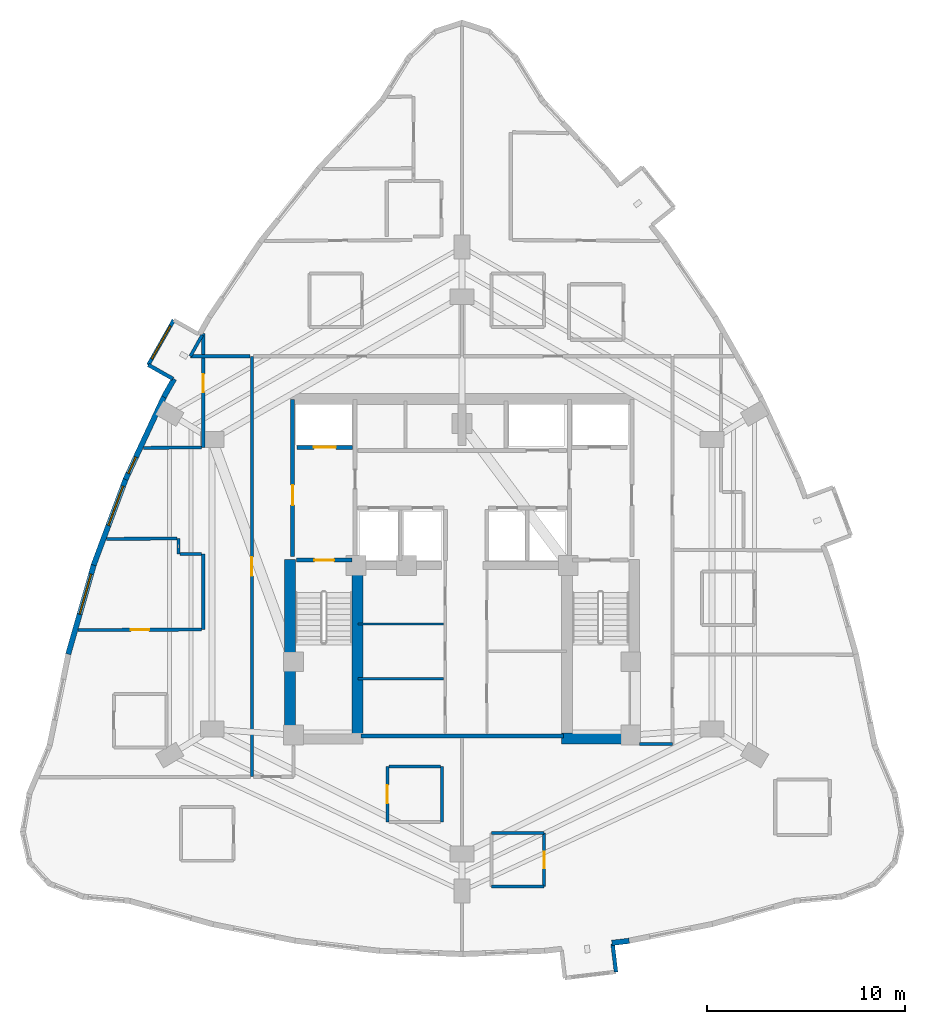
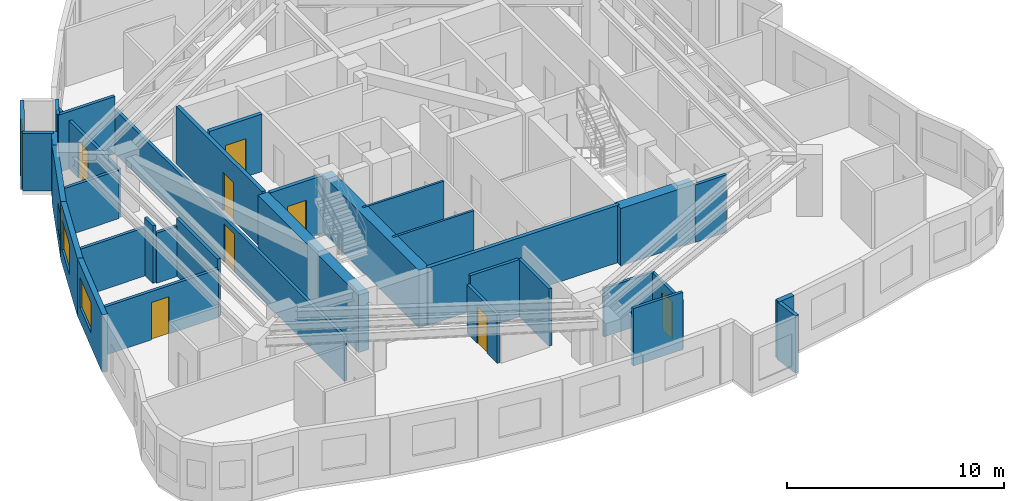
# One storey, part 7 of 12: 34 walls, 8 doors, 4 windows, 12 openings.
"""IFC4 building model written with IfcOpenShell, lengths in metres."""

from ifc_helpers import new_model, si_unit, direction, frame, frame_2d, origin, place, context, subcontext, project, spatial, rectangle, extrude, material, layer, layer_set, type_object, element, fill, save


model = new_model("IFC4")

# Units and contexts
model_context = context("Model", 3, precision=1e-05, world=origin(), true_north=direction((0.0, 1.0)))
body_context = subcontext(model_context, "Body", "Model", "MODEL_VIEW")
ifc_project = project(units=[si_unit("LENGTHUNIT", "METRE"), si_unit("AREAUNIT", "SQUARE_METRE"), si_unit("VOLUMEUNIT", "CUBIC_METRE"), si_unit("PLANEANGLEUNIT", "RADIAN"), si_unit("MASSUNIT", "GRAM", prefix="KILO")], contexts=[model_context])

# Site, building, storey
site_placement = place(None, origin())
site = spatial("IfcSite", under=ifc_project, at=site_placement, CompositionType="ELEMENT")
building_placement = place(site_placement, origin())
building = spatial("IfcBuilding", under=site, at=building_placement, Name="Miruveldt Soraemaru", CompositionType="ELEMENT")
storey_placement = place(building_placement, frame((0.0, 0.0, 107.39990234375)))
storey = spatial("IfcBuildingStorey", under=building, at=storey_placement, Name="L29", CompositionType="ELEMENT", Elevation=107.39990234375)

# Wall
ifc_material_1 = material(Name="White powder-coated aluminium EN AW-6060 T6", Category="aluminium")
ifc_layer_1 = layer(ifc_material_1, 0.18994140625, Name="White powder-coated aluminium EN AW-6060 T6", Category="aluminium")
ifc_layer_set_1 = layer_set([ifc_layer_1], Name="White powder-coated aluminium EN AW-6060 T6")
wall_type_1 = type_object("IfcWallType", Name="WALL-BAY-ALU190", PredefinedType="SOLIDWALL", material=ifc_layer_set_1)
wall_1_placement = place(storey_placement, frame((28.179931640625, 54.162109375, 0.0), z_axis=(0.0, 0.0, 1.0), x_axis=(0.869914393652, -0.493202745042, 0.0)))
element("IfcWall", 1, at=wall_1_placement, inside=storey, type_object=wall_type_1, Name="L29 Bay Window Side Cheek 4R", PredefinedType="SOLIDWALL", context=body_context, shape_type="SweptSolid", body=[
    extrude(rectangle(XDim=1.425048828125, YDim=0.18994140625, at=frame_2d((0.71240234375, 0.0))), origin(), (0.0, 0.0, 1.0), 3.235107421875),
])

# Wall, opening, window
wall_2_placement = place(storey_placement, frame((29.462646484375, 56.423828125, 0.0), z_axis=(0.0, 0.0, 1.0), x_axis=(-0.493325260824, -0.869844921255, 0.0)))
wall_2 = element("IfcWall", 2, at=wall_2_placement, inside=storey, type_object=wall_type_1, Name="L29 Bay Window Front Frame 4", PredefinedType="SOLIDWALL", context=body_context, shape_type="SweptSolid", body=[
    extrude(rectangle(XDim=2.60009765625, YDim=0.18994140625, at=frame_2d((1.300048828125, 0.0))), origin(), (0.0, 0.0, 1.0), 3.235107421875),
])
opening_1_placement = place(wall_2_placement, frame((0.35009765625, 0.0, 0.550048828125)))
opening_1 = element("IfcOpeningElement", 3, at=opening_1_placement, cuts=wall_2, Name="Opening WN-6", PredefinedType="OPENING", context=body_context, shape_type="SweptSolid", body=[
    extrude(rectangle(XDim=1.89990234375, YDim=1.85009765625, at=frame_2d((0.949951171875, 0.925048828125))), frame((0.0, 0.10498046875, 0.0), z_axis=(0.0, -1.0, 0.0), x_axis=(1.0, 0.0, 0.0)), (0.0, 0.0, 1.0), 0.2099609375),
])
ifc_material_2 = material(Name="Triple low-e insulated glazing", Category="glass")
window_type_1 = type_object("IfcWindowType", Name="WIN-BAYW-1900x1850", PartitioningType="SINGLE_PANEL", PredefinedType="WINDOW", material=ifc_material_2)
window_1_placement = place(opening_1_placement, origin())
window_1 = element("IfcWindow", 4, at=window_1_placement, inside=storey, type_object=window_type_1, Name="L29 Projecting Bay Window 4", OverallHeight=1.85009765625, OverallWidth=1.89990234375, PartitioningType="SINGLE_PANEL", PredefinedType="WINDOW", context=body_context, shape_type="SweptSolid", body=[
    extrude(rectangle(XDim=1.89990234375, YDim=1.85009765625, at=frame_2d((0.949951171875, 0.925048828125))), frame((0.0, 0.030029296875, 0.0), z_axis=(0.0, -1.0, 0.0), x_axis=(1.0, 0.0, 0.0)), (0.0, 0.0, 1.0), 0.06005859375),
])
fill(opening_1, window_1)

# Walls
wall_3_placement = place(storey_placement, frame((51.755615234375, 23.561279296875, 0.0), z_axis=(0.0, 0.0, 1.0), x_axis=(-0.119057405757, 0.992887372331, 0.0)))
element("IfcWall", 5, at=wall_3_placement, inside=storey, type_object=wall_type_1, Name="L29 Bay Window Side Cheek 1R", PredefinedType="SOLIDWALL", context=body_context, shape_type="SweptSolid", body=[
    extrude(rectangle(XDim=1.42529296875, YDim=0.18994140625, at=frame_2d((0.712646484375, 0.0))), origin(), (0.0, 0.0, 1.0), 3.235107421875),
])
ifc_material_3 = material(Name="Concrete C70/85 (70 MPa)", Category="concrete")
ifc_layer_2 = layer(ifc_material_3, 0.550048828125, Name="Concrete C70/85 (70 MPa)", Category="concrete")
ifc_layer_set_2 = layer_set([ifc_layer_2], Name="Concrete C70/85 (70 MPa)")
wall_type_2 = type_object("IfcWallType", Name="WALL-CW-550", PredefinedType="SHEAR", material=ifc_layer_set_2)
wall_4_placement = place(storey_placement, frame((49.0, 35.324951171875, 0.0), z_axis=(0.0, 0.0, 1.0), x_axis=(1.0, 0.0, 0.0)))
element("IfcWall", 6, at=wall_4_placement, inside=storey, type_object=wall_type_2, Name="L29 Central Core Shear Wall S2", PredefinedType="SHEAR", context=body_context, shape_type="SweptSolid", body=[
    extrude(rectangle(XDim=3.949951171875, YDim=0.550048828125, at=frame_2d((1.97509765625, 0.0))), origin(), (0.0, 0.0, 1.0), 3.235107421875),
])
wall_5_placement = place(storey_placement, frame((35.324951171875, 35.050048828125, 0.0), z_axis=(0.0, 0.0, 1.0), x_axis=(0.0, 1.0, 0.0)))
element("IfcWall", 7, at=wall_5_placement, inside=storey, type_object=wall_type_2, Name="L29 Central Core Shear Wall W1", PredefinedType="SHEAR", context=body_context, shape_type="SweptSolid", body=[
    extrude(rectangle(XDim=9.300048828125, YDim=0.550048828125, at=frame_2d((4.64990234375, 0.0))), origin(), (0.0, 0.0, 1.0), 3.235107421875),
])
wall_6_placement = place(storey_placement, frame((38.72509765625, 35.39990234375, 0.0), z_axis=(0.0, 0.0, 1.0), x_axis=(0.0, 1.0, 0.0)))
element("IfcWall", 8, at=wall_6_placement, inside=storey, type_object=wall_type_2, Name="L29 Central Core Shear Wall SW-INT", PredefinedType="SHEAR", context=body_context, shape_type="SweptSolid", body=[
    extrude(rectangle(XDim=8.9501953125, YDim=0.550048828125, at=frame_2d((4.47509765625, 0.0))), origin(), (0.0, 0.0, 1.0), 3.235107421875),
])
ifc_material_4 = material(Name="Precast concrete C45/55 (45 MPa)", Category="concrete")
ifc_layer_3 = layer(ifc_material_4, 0.27001953125, Name="Precast concrete C45/55 (45 MPa)", Category="concrete")
ifc_layer_set_3 = layer_set([ifc_layer_3], Name="Precast concrete C45/55 (45 MPa)")
wall_type_3 = type_object("IfcWallType", Name="WALL-EXT-PC270", PredefinedType="SOLIDWALL", material=ifc_layer_set_3)
wall_7_placement = place(storey_placement, frame((29.482177734375, 53.458251953125, 0.0), z_axis=(0.0, 0.0, 1.0), x_axis=(-0.493468236587, -0.869763818217, 0.0)))
element("IfcWall", 9, at=wall_7_placement, inside=storey, type_object=wall_type_3, Name="L29 Precast Pier Wall 10B", PredefinedType="SOLIDWALL", context=body_context, shape_type="SweptSolid", body=[
    extrude(rectangle(XDim=1.05419921875, YDim=0.27001953125, at=frame_2d((0.527099609375, 0.0))), origin(), (0.0, 0.0, 1.0), 3.235107421875),
])

# Wall, opening, window
wall_8_placement = place(storey_placement, frame((28.994140625, 52.603271484375, 0.0), z_axis=(0.0, 0.0, 1.0), x_axis=(-0.422316092013, -0.906448629778, 0.0)))
wall_8 = element("IfcWall", 10, at=wall_8_placement, inside=storey, type_object=wall_type_3, Name="L29 Precast Concrete Facade Wall 11", PredefinedType="SOLIDWALL", context=body_context, shape_type="SweptSolid", body=[
    extrude(rectangle(XDim=4.6484375, YDim=0.27001953125, at=frame_2d((2.32421875, 0.0))), origin(), (0.0, 0.0, 1.0), 3.235107421875),
])
opening_2_placement = place(wall_8_placement, frame((3.407958984375, 0.0, 0.780029296875)))
opening_2 = element("IfcOpeningElement", 11, at=opening_2_placement, cuts=wall_8, Name="Opening WN-7", PredefinedType="OPENING", context=body_context, shape_type="SweptSolid", body=[
    extrude(rectangle(XDim=0.89990234375, YDim=1.5, at=frame_2d((0.449951171875, 0.75))), frame((0.0, 0.14501953125, 0.0), z_axis=(0.0, -1.0, 0.0), x_axis=(1.0, 0.0, 0.0)), (0.0, 0.0, 1.0), 0.2900390625),
])
window_type_2 = type_object("IfcWindowType", Name="WIN-PUNCH-900x1500", PartitioningType="SINGLE_PANEL", PredefinedType="WINDOW", material=ifc_material_2)
window_2_placement = place(opening_2_placement, origin())
window_2 = element("IfcWindow", 12, at=window_2_placement, inside=storey, type_object=window_type_2, Name="L29 Punched Triple-Glazed Window 11.1", OverallHeight=1.5, OverallWidth=0.89990234375, PartitioningType="SINGLE_PANEL", PredefinedType="WINDOW", context=body_context, shape_type="SweptSolid", body=[
    extrude(rectangle(XDim=0.89990234375, YDim=1.5, at=frame_2d((0.449951171875, 0.75))), frame((0.0, 0.030029296875, 0.0), z_axis=(0.0, -1.0, 0.0), x_axis=(1.0, 0.0, 0.0)), (0.0, 0.0, 1.0), 0.06005859375),
])
fill(opening_2, window_2)

wall_9_placement = place(storey_placement, frame((27.057861328125, 48.4541015625, 0.0), z_axis=(0.0, 0.0, 1.0), x_axis=(-0.34901196631, -0.937118267548, 0.0)))
wall_9 = element("IfcWall", 13, at=wall_9_placement, inside=storey, type_object=wall_type_3, Name="L29 Precast Concrete Facade Wall 12", PredefinedType="SOLIDWALL", context=body_context, shape_type="SweptSolid", body=[
    extrude(rectangle(XDim=4.677734375, YDim=0.27001953125, at=frame_2d((2.3388671875, 0.0))), origin(), (0.0, 0.0, 1.0), 3.235107421875),
])
opening_3_placement = place(wall_9_placement, frame((0.43798828125, 0.0, 0.800048828125)))
opening_3 = element("IfcOpeningElement", 14, at=opening_3_placement, cuts=wall_9, Name="Opening WN-1", PredefinedType="OPENING", context=body_context, shape_type="SweptSolid", body=[
    extrude(rectangle(XDim=2.10009765625, YDim=1.699951171875, at=frame_2d((1.050048828125, 0.85009765625))), frame((0.0, 0.14501953125, 0.0), z_axis=(0.0, -1.0, 0.0), x_axis=(1.0, 0.0, 0.0)), (0.0, 0.0, 1.0), 0.2900390625),
])
window_type_3 = type_object("IfcWindowType", Name="WIN-PUNCH-2100x1700", PartitioningType="SINGLE_PANEL", PredefinedType="WINDOW", material=ifc_material_2)
window_3_placement = place(opening_3_placement, origin())
window_3 = element("IfcWindow", 15, at=window_3_placement, inside=storey, type_object=window_type_3, Name="L29 Punched Triple-Glazed Window 12.1", OverallHeight=1.699951171875, OverallWidth=2.10009765625, PartitioningType="SINGLE_PANEL", PredefinedType="WINDOW", context=body_context, shape_type="SweptSolid", body=[
    extrude(rectangle(XDim=2.10009765625, YDim=1.699951171875, at=frame_2d((1.050048828125, 0.85009765625))), frame((0.0, 0.030029296875, 0.0), z_axis=(0.0, -1.0, 0.0), x_axis=(1.0, 0.0, 0.0)), (0.0, 0.0, 1.0), 0.06005859375),
])
fill(opening_3, window_3)

wall_10_placement = place(storey_placement, frame((25.447021484375, 44.13720703125, 0.0), z_axis=(0.0, 0.0, 1.0), x_axis=(-0.274932196805, -0.961463617179, 0.0)))
wall_10 = element("IfcWall", 16, at=wall_10_placement, inside=storey, type_object=wall_type_3, Name="L29 Precast Concrete Facade Wall 13", PredefinedType="SOLIDWALL", context=body_context, shape_type="SweptSolid", body=[
    extrude(rectangle(XDim=4.73583984375, YDim=0.27001953125, at=frame_2d((2.367919921875, 0.0))), origin(), (0.0, 0.0, 1.0), 3.235107421875),
])
opening_4_placement = place(wall_10_placement, frame((0.5439453125, 0.0, 0.800048828125)))
opening_4 = element("IfcOpeningElement", 17, at=opening_4_placement, cuts=wall_10, Name="Opening WN-1", PredefinedType="OPENING", context=body_context, shape_type="SweptSolid", body=[
    extrude(rectangle(XDim=2.10009765625, YDim=1.699951171875, at=frame_2d((1.050048828125, 0.85009765625))), frame((0.0, 0.14501953125, 0.0), z_axis=(0.0, -1.0, 0.0), x_axis=(1.0, 0.0, 0.0)), (0.0, 0.0, 1.0), 0.2900390625),
])
window_4_placement = place(opening_4_placement, origin())
window_4 = element("IfcWindow", 18, at=window_4_placement, inside=storey, type_object=window_type_3, Name="L29 Punched Triple-Glazed Window 13.1", OverallHeight=1.699951171875, OverallWidth=2.10009765625, PartitioningType="SINGLE_PANEL", PredefinedType="WINDOW", context=body_context, shape_type="SweptSolid", body=[
    extrude(rectangle(XDim=2.10009765625, YDim=1.699951171875, at=frame_2d((1.050048828125, 0.85009765625))), frame((0.0, 0.030029296875, 0.0), z_axis=(0.0, -1.0, 0.0), x_axis=(1.0, 0.0, 0.0)), (0.0, 0.0, 1.0), 0.06005859375),
])
fill(opening_4, window_4)

# Walls
wall_11_placement = place(storey_placement, frame((51.549560546875, 25.02734375, 0.0), z_axis=(0.0, 0.0, 1.0), x_axis=(0.992866288906, 0.119233100912, 0.0)))
element("IfcWall", 19, at=wall_11_placement, inside=storey, type_object=wall_type_3, Name="L29 Precast Pier Wall 26B", PredefinedType="SOLIDWALL", context=body_context, shape_type="SweptSolid", body=[
    extrude(rectangle(XDim=0.87646484375, YDim=0.27001953125, at=frame_2d((0.438232421875, 0.0))), origin(), (0.0, 0.0, 1.0), 3.235107421875),
])
ifc_material_5 = material(Name="Gypsum plasterboard lining", Category="gypsum")
ifc_layer_4 = layer(ifc_material_5, 0.1201171875, Name="Gypsum plasterboard lining", Category="gypsum")
ifc_layer_set_4 = layer_set([ifc_layer_4], Name="Gypsum plasterboard lining")
wall_type_4 = type_object("IfcWallType", Name="WALL-INT-P120", PredefinedType="PARTITIONING", material=ifc_layer_set_4)
for number, where, z_axis, x_axis, name in (
    (20, (38.75, 38.35009765625, 0.0), (0.0, 0.0, 1.0), (1.0, 0.0, 0.0), "L29 Core Compartment Wall RL-W3A"),
    (21, (38.75, 41.10009765625, 0.0), (0.0, 0.0, 1.0), (1.0, 0.0, 0.0), "L29 Core Compartment Wall RL-W3B"),
):
    element("IfcWall", number, at=place(storey_placement, frame(where, z_axis=z_axis, x_axis=x_axis)), inside=storey, type_object=wall_type_4, Name=name, PredefinedType="PARTITIONING", context=body_context, shape_type="SweptSolid", body=[
        extrude(rectangle(XDim=4.300048828125, YDim=0.1201171875, at=frame_2d((2.14990234375, 0.0))), origin(), (0.0, 0.0, 1.0), 3.235107421875),
    ])

# Wall, opening, door
ifc_layer_5 = layer(ifc_material_5, 0.14990234375, Name="Gypsum plasterboard lining", Category="gypsum")
ifc_layer_set_5 = layer_set([ifc_layer_5], Name="Gypsum plasterboard lining")
wall_type_5 = type_object("IfcWallType", Name="WALL-INT-PLUMB", PredefinedType="PLUMBINGWALL", material=ifc_layer_set_5)
wall_12_placement = place(storey_placement, frame((48.1298828125, 27.868896484375, 0.0), z_axis=(0.0, 0.0, 1.0), x_axis=(0.0, 1.0, 0.0)))
wall_12 = element("IfcWall", 22, at=wall_12_placement, inside=storey, type_object=wall_type_5, Name="L29 Partition Wall 49", PredefinedType="PLUMBINGWALL", context=body_context, shape_type="SweptSolid", body=[
    extrude(rectangle(XDim=2.7001953125, YDim=0.14990234375, at=frame_2d((1.35009765625, 0.0))), origin(), (0.0, 0.0, 1.0), 2.72314453125),
])
opening_5_placement = place(wall_12_placement, frame((0.909912109375, 0.0, 0.0)))
opening_5 = element("IfcOpeningElement", 23, at=opening_5_placement, cuts=wall_12, Name="Opening FD3", PredefinedType="OPENING", context=body_context, shape_type="SweptSolid", body=[
    extrude(rectangle(XDim=0.85009765625, YDim=2.10009765625, at=frame_2d((0.425048828125, 1.050048828125))), frame((0.0, 0.0849609375, 0.0), z_axis=(0.0, -1.0, 0.0), x_axis=(1.0, 0.0, 0.0)), (0.0, 0.0, 1.0), 0.169921875),
])
ifc_material_6 = material(Name="Anodised aluminium EN AW-6063 T6", Category="aluminium")
door_type_1 = type_object("IfcDoorType", Name="DOOR-FD3-850", OperationType="NOTDEFINED", PredefinedType="DOOR", material=ifc_material_6)
door_1_placement = place(opening_5_placement, origin())
door_1 = element("IfcDoor", 24, at=door_1_placement, inside=storey, type_object=door_type_1, Name="L29 Unit CL04 BTH Door", OperationType="SINGLE_SWING_LEFT", OverallHeight=2.10009765625, OverallWidth=0.85009765625, PredefinedType="DOOR", context=body_context, shape_type="SweptSolid", body=[
    extrude(rectangle(XDim=0.85009765625, YDim=2.10009765625, at=frame_2d((0.425048828125, 1.050048828125))), frame((0.0, 0.02490234375, 0.0), z_axis=(0.0, -1.0, 0.0), x_axis=(1.0, 0.0, 0.0)), (0.0, 0.0, 1.0), 0.050048828125),
])
fill(opening_5, door_1)

# Walls
wall_13_placement = place(storey_placement, frame((48.1298828125, 30.569091796875, 0.0), z_axis=(0.0, 0.0, 1.0), x_axis=(-1.0, 0.0, 0.0)))
element("IfcWall", 25, at=wall_13_placement, inside=storey, type_object=wall_type_5, Name="L29 Partition Wall 50", PredefinedType="PLUMBINGWALL", context=body_context, shape_type="SweptSolid", body=[
    extrude(rectangle(XDim=2.64990234375, YDim=0.14990234375, at=frame_2d((1.324951171875, 0.0))), origin(), (0.0, 0.0, 1.0), 2.735107421875),
])
wall_14_placement = place(storey_placement, frame((45.47998046875, 27.868896484375, 0.0), z_axis=(0.0, 0.0, 1.0), x_axis=(1.0, 0.0, 0.0)))
element("IfcWall", 26, at=wall_14_placement, inside=storey, type_object=wall_type_5, Name="L29 Partition Wall 52", PredefinedType="PLUMBINGWALL", context=body_context, shape_type="SweptSolid", body=[
    extrude(rectangle(XDim=2.64990234375, YDim=0.14990234375, at=frame_2d((1.324951171875, 0.0))), origin(), (0.0, 0.0, 1.0), 3.235107421875),
])

# Wall, opening, door
ifc_material_7 = material(Name="Concrete C40/50 (40 MPa)", Category="concrete")
ifc_layer_6 = layer(ifc_material_7, 0.159912109375, Name="Concrete C40/50 (40 MPa)", Category="concrete")
ifc_layer_set_6 = layer_set([ifc_layer_6], Name="Concrete C40/50 (40 MPa)")
wall_type_6 = type_object("IfcWallType", Name="WALL-INT-RC160", PredefinedType="SOLIDWALL", material=ifc_layer_set_6)
wall_15_placement = place(storey_placement, frame((33.39990234375, 54.595947265625, 0.0), z_axis=(0.0, 0.0, 1.0), x_axis=(0.0, -1.0, 0.0)))
wall_15 = element("IfcWall", 27, at=wall_15_placement, inside=storey, type_object=wall_type_6, Name="L29 Partition Wall 3", PredefinedType="SOLIDWALL", context=body_context, shape_type="SweptSolid", body=[
    extrude(rectangle(XDim=21.19189453125, YDim=0.159912109375, at=frame_2d((10.595947265625, 0.0))), origin(), (0.0, 0.0, 1.0), 2.47314453125),
])
opening_6_placement = place(wall_15_placement, frame((10.12109375, 0.0, 0.0)))
opening_6 = element("IfcOpeningElement", 28, at=opening_6_placement, cuts=wall_15, Name="Opening FD2", PredefinedType="OPENING", context=body_context, shape_type="SweptSolid", body=[
    extrude(rectangle(XDim=0.949951171875, YDim=2.14990234375, at=frame_2d((0.47509765625, 1.074951171875))), frame((0.0, 0.08984375, 0.0), z_axis=(0.0, -1.0, 0.0), x_axis=(1.0, 0.0, 0.0)), (0.0, 0.0, 1.0), 0.179931640625),
])
door_type_2 = type_object("IfcDoorType", Name="DOOR-FD2-950", OperationType="NOTDEFINED", PredefinedType="DOOR", material=ifc_material_6)
door_2_placement = place(opening_6_placement, origin())
door_2 = element("IfcDoor", 29, at=door_2_placement, inside=storey, type_object=door_type_2, Name="L29 Unit 2903 Entrance Fire Door", OperationType="SINGLE_SWING_RIGHT", OverallHeight=2.14990234375, OverallWidth=0.949951171875, PredefinedType="DOOR", context=body_context, shape_type="SweptSolid", body=[
    extrude(rectangle(XDim=0.949951171875, YDim=2.14990234375, at=frame_2d((0.47509765625, 1.074951171875))), frame((0.0, 0.02490234375, 0.0), z_axis=(0.0, -1.0, 0.0), x_axis=(1.0, 0.0, 0.0)), (0.0, 0.0, 1.0), 0.050048828125),
])
fill(opening_6, door_2)

wall_16_placement = place(storey_placement, frame((30.8701171875, 40.820068359375, 0.0), z_axis=(0.0, 0.0, 1.0), x_axis=(-0.999995315221, -0.003060969884, 0.0)))
wall_16 = element("IfcWall", 30, at=wall_16_placement, inside=storey, type_object=wall_type_6, Name="L29 Partition Wall 45", PredefinedType="SOLIDWALL", context=body_context, shape_type="SweptSolid", body=[
    extrude(rectangle(XDim=6.22119140625, YDim=0.159912109375, at=frame_2d((3.110595703125, 0.0))), origin(), (0.0, 0.0, 1.0), 2.72314453125),
])
opening_7_placement = place(wall_16_placement, frame((2.65087890625, 0.0, 0.0)))
opening_7 = element("IfcOpeningElement", 31, at=opening_7_placement, cuts=wall_16, Name="Opening D3A", PredefinedType="OPENING", context=body_context, shape_type="SweptSolid", body=[
    extrude(rectangle(XDim=0.919921875, YDim=2.10009765625, at=frame_2d((0.4599609375, 1.050048828125))), frame((0.0, 0.08984375, 0.0), z_axis=(0.0, -1.0, 0.0), x_axis=(1.0, 0.0, 0.0)), (0.0, 0.0, 1.0), 0.179931640625),
])
door_type_3 = type_object("IfcDoorType", Name="DOOR-INT-920", OperationType="NOTDEFINED", PredefinedType="DOOR", material=ifc_material_6)
door_3_placement = place(opening_7_placement, origin())
door_3 = element("IfcDoor", 32, at=door_3_placement, inside=storey, type_object=door_type_3, Name="L29 Unit 2903 BD1 Door", OperationType="SINGLE_SWING_RIGHT", OverallHeight=2.10009765625, OverallWidth=0.919921875, PredefinedType="DOOR", context=body_context, shape_type="SweptSolid", body=[
    extrude(rectangle(XDim=0.919921875, YDim=2.10009765625, at=frame_2d((0.4599609375, 1.050048828125))), frame((0.0, 0.02490234375, 0.0), z_axis=(0.0, -1.0, 0.0), x_axis=(1.0, 0.0, 0.0)), (0.0, 0.0, 1.0), 0.050048828125),
])
fill(opening_7, door_3)

wall_17_placement = place(storey_placement, frame((30.949951171875, 55.741943359375, 0.0), z_axis=(0.0, 0.0, 1.0), x_axis=(0.0, -1.0, 0.0)))
wall_17 = element("IfcWall", 33, at=wall_17_placement, inside=storey, type_object=wall_type_6, Name="L29 Partition Wall 46", PredefinedType="SOLIDWALL", context=body_context, shape_type="SweptSolid", body=[
    extrude(rectangle(XDim=5.73486328125, YDim=0.159912109375, at=frame_2d((2.867431640625, 0.0))), origin(), (0.0, 0.0, 1.0), 2.72314453125),
])
opening_8_placement = place(wall_17_placement, frame((2.047119140625, 0.0, 0.0)))
opening_8 = element("IfcOpeningElement", 34, at=opening_8_placement, cuts=wall_17, Name="Opening D3A", PredefinedType="OPENING", context=body_context, shape_type="SweptSolid", body=[
    extrude(rectangle(XDim=0.919921875, YDim=2.10009765625, at=frame_2d((0.4599609375, 1.050048828125))), frame((0.0, 0.08984375, 0.0), z_axis=(0.0, -1.0, 0.0), x_axis=(1.0, 0.0, 0.0)), (0.0, 0.0, 1.0), 0.179931640625),
])
door_4_placement = place(opening_8_placement, origin())
door_4 = element("IfcDoor", 35, at=door_4_placement, inside=storey, type_object=door_type_3, Name="L29 Unit 2903 EXT Door", OperationType="SINGLE_SWING_LEFT", OverallHeight=2.10009765625, OverallWidth=0.919921875, PredefinedType="DOOR", context=body_context, shape_type="SweptSolid", body=[
    extrude(rectangle(XDim=0.919921875, YDim=2.10009765625, at=frame_2d((0.4599609375, 1.050048828125))), frame((0.0, 0.02490234375, 0.0), z_axis=(0.0, -1.0, 0.0), x_axis=(1.0, 0.0, 0.0)), (0.0, 0.0, 1.0), 0.050048828125),
])
fill(opening_8, door_4)

wall_18_placement = place(storey_placement, frame((40.23193359375, 33.9189453125, 0.0), z_axis=(0.0, 0.0, 1.0), x_axis=(0.0, -1.0, 0.0)))
wall_18 = element("IfcWall", 36, at=wall_18_placement, inside=storey, type_object=wall_type_6, Name="L29 Partition Wall 72", PredefinedType="SOLIDWALL", context=body_context, shape_type="SweptSolid", body=[
    extrude(rectangle(XDim=2.800048828125, YDim=0.159912109375, at=frame_2d((1.39990234375, 0.0))), origin(), (0.0, 0.0, 1.0), 2.735107421875),
])
opening_9_placement = place(wall_18_placement, frame((0.93994140625, 0.0, 0.0)))
opening_9 = element("IfcOpeningElement", 37, at=opening_9_placement, cuts=wall_18, Name="Opening D3A", PredefinedType="OPENING", context=body_context, shape_type="SweptSolid", body=[
    extrude(rectangle(XDim=0.919921875, YDim=2.10009765625, at=frame_2d((0.4599609375, 1.050048828125))), frame((0.0, 0.08984375, 0.0), z_axis=(0.0, -1.0, 0.0), x_axis=(1.0, 0.0, 0.0)), (0.0, 0.0, 1.0), 0.179931640625),
])
door_5_placement = place(opening_9_placement, origin())
door_5 = element("IfcDoor", 38, at=door_5_placement, inside=storey, type_object=door_type_3, Name="L29 Unit CL06 KIT Door", OperationType="SINGLE_SWING_RIGHT", OverallHeight=2.10009765625, OverallWidth=0.919921875, PredefinedType="DOOR", context=body_context, shape_type="SweptSolid", body=[
    extrude(rectangle(XDim=0.919921875, YDim=2.10009765625, at=frame_2d((0.4599609375, 1.050048828125))), frame((0.0, 0.02490234375, 0.0), z_axis=(0.0, -1.0, 0.0), x_axis=(1.0, 0.0, 0.0)), (0.0, 0.0, 1.0), 0.050048828125),
])
fill(opening_9, door_5)

# Walls
wall_19_placement = place(storey_placement, frame((30.949951171875, 44.6298828125, 0.0), z_axis=(0.0, 0.0, 1.0), x_axis=(0.0, -1.0, 0.0)))
element("IfcWall", 39, at=wall_19_placement, inside=storey, type_object=wall_type_6, Name="L29 Partition Wall 44", PredefinedType="SOLIDWALL", context=body_context, shape_type="SweptSolid", body=[
    extrude(rectangle(XDim=3.809814453125, YDim=0.159912109375, at=frame_2d((1.90478515625, 0.0))), origin(), (0.0, 0.0, 1.0), 3.235107421875),
])
wall_20_placement = place(storey_placement, frame((26.075927734375, 45.388916015625, 0.0), z_axis=(0.0, 0.0, 1.0), x_axis=(0.999978549982, 0.006549776768, 0.0)))
element("IfcWall", 40, at=wall_20_placement, inside=storey, type_object=wall_type_6, Name="L29 Partition Wall 41", PredefinedType="SOLIDWALL", context=body_context, shape_type="SweptSolid", body=[
    extrude(rectangle(XDim=3.541015625, YDim=0.159912109375, at=frame_2d((1.7705078125, 0.0))), origin(), (0.0, 0.0, 1.0), 2.72314453125),
])
wall_21_placement = place(storey_placement, frame((30.302001953125, 54.60009765625, 0.0), z_axis=(0.0, 0.0, 1.0), x_axis=(1.0, 0.0, 0.0)))
element("IfcWall", 41, at=wall_21_placement, inside=storey, type_object=wall_type_6, Name="L29 Partition Wall 21", PredefinedType="SOLIDWALL", context=body_context, shape_type="SweptSolid", body=[
    extrude(rectangle(XDim=3.013916015625, YDim=0.159912109375, at=frame_2d((1.5068359375, 0.0))), origin(), (0.0, 0.0, 1.0), 3.235107421875),
])
wall_22_placement = place(storey_placement, frame((30.8701171875, 50.006103515625, 0.0), z_axis=(0.0, 0.0, 1.0), x_axis=(-0.999954220456, -0.0095685418, 0.0)))
element("IfcWall", 42, at=wall_22_placement, inside=storey, type_object=wall_type_6, Name="L29 Partition Wall 47", PredefinedType="SOLIDWALL", context=body_context, shape_type="SweptSolid", body=[
    extrude(rectangle(XDim=2.934326171875, YDim=0.159912109375, at=frame_2d((1.46728515625, 0.0))), origin(), (0.0, 0.0, 1.0), 2.72314453125),
])
wall_23_placement = place(storey_placement, frame((42.98193359375, 31.118896484375, 0.0), z_axis=(0.0, 0.0, 1.0), x_axis=(0.0, 1.0, 0.0)))
element("IfcWall", 43, at=wall_23_placement, inside=storey, type_object=wall_type_6, Name="L29 Partition Wall 70", PredefinedType="SOLIDWALL", context=body_context, shape_type="SweptSolid", body=[
    extrude(rectangle(XDim=2.800048828125, YDim=0.159912109375, at=frame_2d((1.39990234375, 0.0))), origin(), (0.0, 0.0, 1.0), 3.235107421875),
])
wall_24_placement = place(storey_placement, frame((42.902099609375, 33.9189453125, 0.0), z_axis=(0.0, 0.0, 1.0), x_axis=(-1.0, 0.0, 0.0)))
element("IfcWall", 44, at=wall_24_placement, inside=storey, type_object=wall_type_6, Name="L29 Partition Wall 71", PredefinedType="SOLIDWALL", context=body_context, shape_type="SweptSolid", body=[
    extrude(rectangle(XDim=2.590087890625, YDim=0.159912109375, at=frame_2d((1.294921875, 0.0))), origin(), (0.0, 0.0, 1.0), 3.235107421875),
])
wall_25_placement = place(storey_placement, frame((52.946044921875, 35.050048828125, 0.0), z_axis=(0.0, 0.0, 1.0), x_axis=(1.0, 0.0, 0.0)))
element("IfcWall", 45, at=wall_25_placement, inside=storey, type_object=wall_type_6, Name="L29 Partition Wall 4", PredefinedType="SOLIDWALL", context=body_context, shape_type="SweptSolid", body=[
    extrude(rectangle(XDim=1.654052734375, YDim=0.159912109375, at=frame_2d((0.8271484375, 0.0))), origin(), (0.0, 0.0, 1.0), 3.235107421875),
])
wall_26_placement = place(storey_placement, frame((30.302001953125, 54.60009765625, 0.0), z_axis=(0.0, 0.0, 1.0), x_axis=(0.488591203774, 0.872512828326, 0.0)))
element("IfcWall", 46, at=wall_26_placement, inside=storey, type_object=wall_type_6, Name="L29 Partition Closure Return 1", PredefinedType="SOLIDWALL", context=body_context, shape_type="SweptSolid", body=[
    extrude(rectangle(XDim=1.22216796875, YDim=0.159912109375, at=frame_2d((0.611083984375, 0.0))), origin(), (0.0, 0.0, 1.0), 3.235107421875),
])
wall_27_placement = place(storey_placement, frame((29.777099609375, 44.6298828125, 0.0), z_axis=(0.0, 0.0, 1.0), x_axis=(1.0, 0.0, 0.0)))
element("IfcWall", 47, at=wall_27_placement, inside=storey, type_object=wall_type_6, Name="L29 Partition Wall 43", PredefinedType="SOLIDWALL", context=body_context, shape_type="SweptSolid", body=[
    extrude(rectangle(XDim=1.093017578125, YDim=0.159912109375, at=frame_2d((0.54638671875, 0.0))), origin(), (0.0, 0.0, 1.0), 2.822998046875),
])
wall_28_placement = place(storey_placement, frame((29.697021484375, 45.4130859375, 0.0), z_axis=(0.0, 0.0, 1.0), x_axis=(0.0, -1.0, 0.0)))
element("IfcWall", 48, at=wall_28_placement, inside=storey, type_object=wall_type_6, Name="L29 Partition Wall 42", PredefinedType="SOLIDWALL", context=body_context, shape_type="SweptSolid", body=[
    extrude(rectangle(XDim=0.783203125, YDim=0.159912109375, at=frame_2d((0.3916015625, 0.0))), origin(), (0.0, 0.0, 1.0), 3.235107421875),
])

# Wall, opening, door
ifc_layer_7 = layer(ifc_material_7, 0.199951171875, Name="Concrete C40/50 (40 MPa)", Category="concrete")
ifc_layer_set_7 = layer_set([ifc_layer_7], Name="Concrete C40/50 (40 MPa)")
wall_type_7 = type_object("IfcWallType", Name="WALL-INT-RC200", PredefinedType="SOLIDWALL", material=ifc_layer_set_7)
wall_29_placement = place(storey_placement, frame((35.449951171875, 44.5, 0.0), z_axis=(0.0, 0.0, 1.0), x_axis=(0.0, 1.0, 0.0)))
wall_29 = element("IfcWall", 49, at=wall_29_placement, inside=storey, type_object=wall_type_7, Name="L29 Core Compartment Wall FFW-OUT", PredefinedType="SOLIDWALL", context=body_context, shape_type="SweptSolid", body=[
    extrude(rectangle(XDim=7.919921875, YDim=0.199951171875, at=frame_2d((3.9599609375, 0.0))), origin(), (0.0, 0.0, 1.0), 3.235107421875),
])
opening_10_placement = place(wall_29_placement, frame((2.60009765625, 0.0, 0.0)))
opening_10 = element("IfcOpeningElement", 50, at=opening_10_placement, cuts=wall_29, Name="Opening FD1", PredefinedType="OPENING", context=body_context, shape_type="SweptSolid", body=[
    extrude(rectangle(XDim=1.0, YDim=2.14990234375, at=frame_2d((0.5, 1.074951171875))), frame((0.0, 0.10986328125, 0.0), z_axis=(0.0, -1.0, 0.0), x_axis=(1.0, 0.0, 0.0)), (0.0, 0.0, 1.0), 0.219970703125),
])
door_type_4 = type_object("IfcDoorType", Name="DOOR-FD1-1000", OperationType="NOTDEFINED", PredefinedType="DOOR", material=ifc_material_6)
door_6_placement = place(opening_10_placement, origin())
door_6 = element("IfcDoor", 51, at=door_6_placement, inside=storey, type_object=door_type_4, Name="L29 West Firefighting Lobby Exit Door", OperationType="SINGLE_SWING_LEFT", OverallHeight=2.14990234375, OverallWidth=1.0, PredefinedType="DOOR", context=body_context, shape_type="SweptSolid", body=[
    extrude(rectangle(XDim=1.0, YDim=2.14990234375, at=frame_2d((0.5, 1.074951171875))), frame((0.0, 0.02490234375, 0.0), z_axis=(0.0, -1.0, 0.0), x_axis=(1.0, 0.0, 0.0)), (0.0, 0.0, 1.0), 0.050048828125),
])
fill(opening_10, door_6)

wall_30_placement = place(storey_placement, frame((35.64990234375, 44.320068359375, 0.0), z_axis=(0.0, 0.0, 1.0), x_axis=(1.0, 0.0, 0.0)))
wall_30 = element("IfcWall", 52, at=wall_30_placement, inside=storey, type_object=wall_type_7, Name="L29 Core Compartment Wall ST1-N", PredefinedType="SOLIDWALL", context=body_context, shape_type="SweptSolid", body=[
    extrude(rectangle(XDim=2.800048828125, YDim=0.199951171875, at=frame_2d((1.39990234375, 0.0))), origin(), (0.0, 0.0, 1.0), 3.235107421875),
])
opening_11_placement = place(wall_30_placement, frame((0.89990234375, 0.0, 0.0)))
opening_11 = element("IfcOpeningElement", 53, at=opening_11_placement, cuts=wall_30, Name="Opening FD1", PredefinedType="OPENING", context=body_context, shape_type="SweptSolid", body=[
    extrude(rectangle(XDim=1.0, YDim=2.14990234375, at=frame_2d((0.5, 1.074951171875))), frame((0.0, 0.10986328125, 0.0), z_axis=(0.0, -1.0, 0.0), x_axis=(1.0, 0.0, 0.0)), (0.0, 0.0, 1.0), 0.219970703125),
])
door_7_placement = place(opening_11_placement, frame((1.0, 0.0, 0.0), z_axis=(0.0, 0.0, 1.0), x_axis=(-1.0, 0.0, 0.0)))
door_7 = element("IfcDoor", 54, at=door_7_placement, inside=storey, type_object=door_type_4, Name="L29 Stair ST-1 Fire Door", OperationType="SINGLE_SWING_LEFT", OverallHeight=2.14990234375, OverallWidth=1.0, PredefinedType="DOOR", context=body_context, shape_type="SweptSolid", body=[
    extrude(rectangle(XDim=1.0, YDim=2.14990234375, at=frame_2d((0.5, 1.074951171875))), frame((0.0, 0.02490234375, 0.0), z_axis=(0.0, -1.0, 0.0), x_axis=(1.0, 0.0, 0.0)), (0.0, 0.0, 1.0), 0.050048828125),
])
fill(opening_11, door_7)

wall_31_placement = place(storey_placement, frame((35.679931640625, 50.0, 0.0), z_axis=(0.0, 0.0, 1.0), x_axis=(1.0, 0.0, 0.0)))
wall_31 = element("IfcWall", 55, at=wall_31_placement, inside=storey, type_object=wall_type_7, Name="L29 Core Compartment Wall FFL1-S", PredefinedType="SOLIDWALL", context=body_context, shape_type="SweptSolid", body=[
    extrude(rectangle(XDim=2.800048828125, YDim=0.199951171875, at=frame_2d((1.39990234375, 0.0))), origin(), (0.0, 0.0, 1.0), 3.235107421875),
])
opening_12_placement = place(wall_31_placement, frame((0.85009765625, 0.0, 0.0)))
opening_12 = element("IfcOpeningElement", 56, at=opening_12_placement, cuts=wall_31, Name="Opening LD2", PredefinedType="OPENING", context=body_context, shape_type="SweptSolid", body=[
    extrude(rectangle(XDim=1.10009765625, YDim=2.14990234375, at=frame_2d((0.550048828125, 1.074951171875))), frame((0.0, 0.10986328125, 0.0), z_axis=(0.0, -1.0, 0.0), x_axis=(1.0, 0.0, 0.0)), (0.0, 0.0, 1.0), 0.219970703125),
])
door_type_5 = type_object("IfcDoorType", Name="DOOR-LD2-1100", OperationType="SLIDING_TO_LEFT", PredefinedType="DOOR", material=ifc_material_6)
door_8_placement = place(opening_12_placement, origin())
door_8 = element("IfcDoor", 57, at=door_8_placement, inside=storey, type_object=door_type_5, Name="L29 FFL-1 Landing Door", OperationType="SLIDING_TO_LEFT", OverallHeight=2.14990234375, OverallWidth=1.10009765625, PredefinedType="DOOR", context=body_context, shape_type="SweptSolid", body=[
    extrude(rectangle(XDim=1.10009765625, YDim=2.14990234375, at=frame_2d((0.550048828125, 1.074951171875))), frame((0.0, 0.02490234375, 0.0), z_axis=(0.0, -1.0, 0.0), x_axis=(1.0, 0.0, 0.0)), (0.0, 0.0, 1.0), 0.050048828125),
])
fill(opening_12, door_8)

# Wall
wall_32_placement = place(storey_placement, frame((38.89990234375, 35.449951171875, 0.0), z_axis=(0.0, 0.0, 1.0), x_axis=(1.0, 0.0, 0.0)))
element("IfcWall", 58, at=wall_32_placement, inside=storey, type_object=wall_type_7, Name="L29 Core Compartment Wall CS-S", PredefinedType="SOLIDWALL", context=body_context, shape_type="SweptSolid", body=[
    extrude(rectangle(XDim=10.2001953125, YDim=0.199951171875, at=frame_2d((5.10009765625, 0.0))), origin(), (0.0, 0.0, 1.0), 3.235107421875),
])

save(model, "model.ifc")
